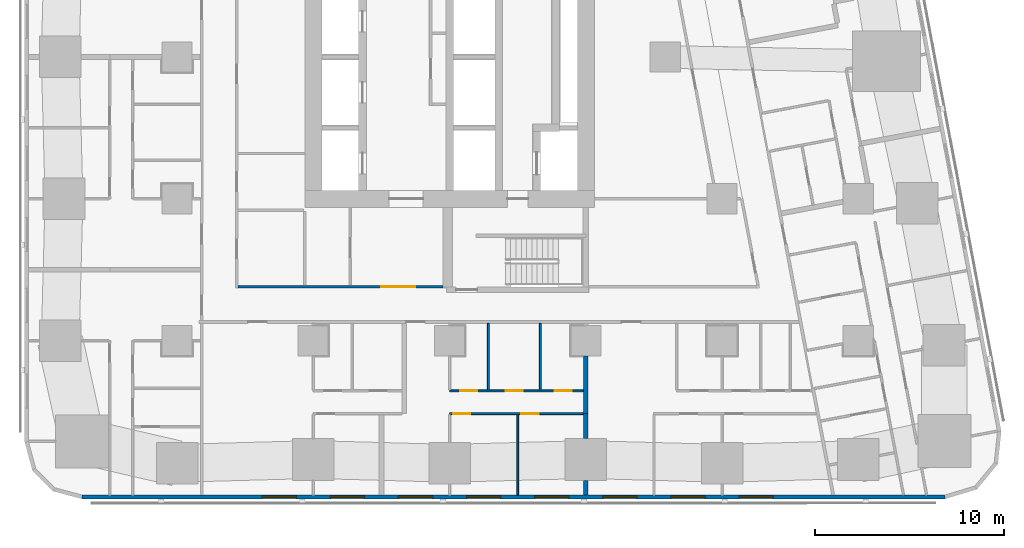
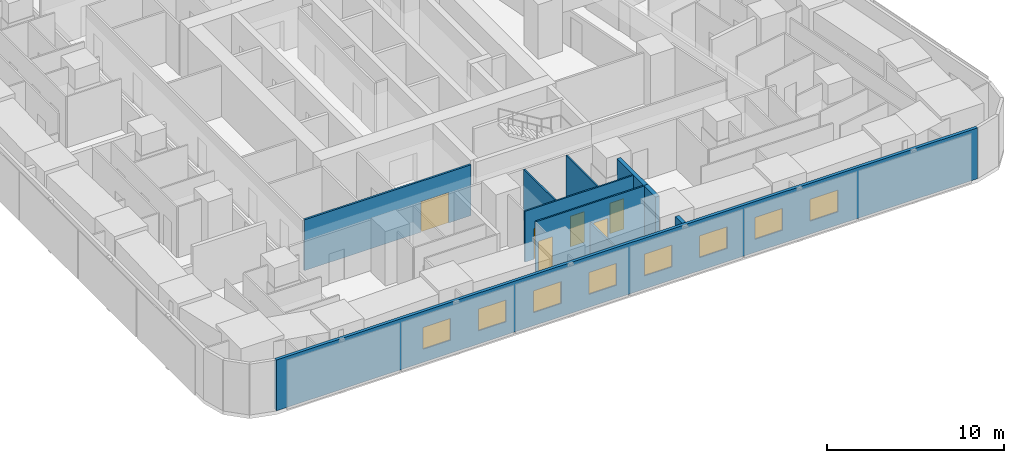
# One storey, part 3 of 17: 10 walls, 8 windows, 6 doors, 14 openings.
"""IFC4 building model written with IfcOpenShell, lengths in metres."""

from ifc_helpers import new_model, si_unit, direction, frame, frame_2d, origin, place, context, subcontext, project, spatial, rectangle, extrude, material, layer, layer_set, type_object, element, fill, save


model = new_model("IFC4")

# Units and contexts
model_context = context("Model", 3, precision=1e-05, world=origin(), true_north=direction((0.0, 1.0)))
body_context = subcontext(model_context, "Body", "Model", "MODEL_VIEW")
ifc_project = project(units=[si_unit("LENGTHUNIT", "METRE"), si_unit("AREAUNIT", "SQUARE_METRE"), si_unit("VOLUMEUNIT", "CUBIC_METRE"), si_unit("PLANEANGLEUNIT", "RADIAN"), si_unit("MASSUNIT", "GRAM", prefix="KILO")], contexts=[model_context])

# Site, building, storey
site_placement = place(None, origin())
site = spatial("IfcSite", under=ifc_project, at=site_placement, CompositionType="ELEMENT")
building_placement = place(site_placement, origin())
building = spatial("IfcBuilding", under=site, at=building_placement, Name="Sheger Commons Tower", CompositionType="ELEMENT")
storey_placement = place(building_placement, frame((0.0, 0.0, 115.39990234375)))
storey = spatial("IfcBuildingStorey", under=building, at=storey_placement, Name="L29", CompositionType="ELEMENT", Elevation=115.39990234375)

# Walls
ifc_material_1 = material(Name="Dense concrete block masonry, plastered both sides (separating wall between flats)", Category="masonry")
ifc_layer_1 = layer(ifc_material_1, 0.25)
ifc_layer_set_1 = layer_set([ifc_layer_1], Name="DEMISING WALL 250")
wall_type_1 = type_object("IfcWallType", Name="DEMISING WALL 250", PredefinedType="SOLIDWALL", material=ifc_layer_set_1)
wall_1_placement = place(storey_placement, frame((28.800048828125, -0.64990234375, 0.0), z_axis=(0.0, 0.0, 1.0), x_axis=(0.0, 1.0, 0.0)))
element("IfcWall", 1, at=wall_1_placement, inside=storey, type_object=wall_type_1, Name="Demising wall L29", PredefinedType="SOLIDWALL", context=body_context, shape_type="SweptSolid", body=[
    extrude(rectangle(XDim=0.77392578125, YDim=0.25, at=frame_2d((0.386962890625, 0.0))), origin(), (0.0, 0.0, 1.0), 3.5),
])
wall_2_placement = place(storey_placement, frame((28.800048828125, 2.325927734375, 0.0), z_axis=(0.0, 0.0, 1.0), x_axis=(0.0, 1.0, 0.0)))
element("IfcWall", 2, at=wall_2_placement, inside=storey, type_object=wall_type_1, Name="Demising wall L29", PredefinedType="SOLIDWALL", context=body_context, shape_type="SweptSolid", body=[
    extrude(rectangle(XDim=1.323974609375, YDim=0.25, at=frame_2d((0.662109375, 0.0))), origin(), (0.0, 0.0, 1.0), 3.5),
])
wall_3_placement = place(storey_placement, frame((28.800048828125, 3.64990234375, 0.0), z_axis=(0.0, 0.0, 1.0), x_axis=(0.0, 1.0, 0.0)))
element("IfcWall", 3, at=wall_3_placement, inside=storey, type_object=wall_type_1, Name="Demising wall L29", PredefinedType="SOLIDWALL", context=body_context, shape_type="SweptSolid", body=[
    extrude(rectangle(XDim=3.049072265625, YDim=0.25, at=frame_2d((1.5244140625, 0.0))), origin(), (0.0, 0.0, 1.0), 3.5),
])

# Wall, openings, windows
ifc_material_2 = material(Name="Rendered concrete block masonry, dark grey", Category="masonry")
ifc_layer_2 = layer(ifc_material_2, 0.199951171875)
ifc_layer_set_2 = layer_set([ifc_layer_2], Name="FACADE WALL 200")
wall_type_2 = type_object("IfcWallType", Name="FACADE WALL 200", PredefinedType="SOLIDWALL", material=ifc_layer_set_2)
wall_4_placement = place(storey_placement, frame((2.1630859375, -0.75, 0.0), z_axis=(0.0, 0.0, 1.0), x_axis=(1.0, 0.0, 0.0)))
wall_4 = element("IfcWall", 4, at=wall_4_placement, inside=storey, type_object=wall_type_2, Name="Facade wall L29", PredefinedType="SOLIDWALL", context=body_context, shape_type="SweptSolid", body=[
    extrude(rectangle(XDim=45.6279296875, YDim=0.199951171875, at=frame_2d((22.81396484375, 0.0))), origin(), (0.0, 0.0, 1.0), 3.5),
])
opening_1_placement = place(wall_4_placement, frame((9.537109375, 0.0, 0.89990234375)))
opening_1 = element("IfcOpeningElement", 5, at=opening_1_placement, cuts=wall_4, Name="Opening W2", PredefinedType="OPENING", context=body_context, shape_type="SweptSolid", body=[
    extrude(rectangle(XDim=1.800048828125, YDim=1.5, at=frame_2d((0.89990234375, 0.75))), frame((0.0, 0.10986328125, 0.0), z_axis=(0.0, -1.0, 0.0), x_axis=(1.0, 0.0, 0.0)), (0.0, 0.0, 1.0), 0.219970703125),
])
opening_2_placement = place(wall_4_placement, frame((13.136962890625, 0.0, 0.89990234375)))
opening_2 = element("IfcOpeningElement", 6, at=opening_2_placement, cuts=wall_4, Name="Opening W2", PredefinedType="OPENING", context=body_context, shape_type="SweptSolid", body=[
    extrude(rectangle(XDim=1.800048828125, YDim=1.5, at=frame_2d((0.89990234375, 0.75))), frame((0.0, 0.10986328125, 0.0), z_axis=(0.0, -1.0, 0.0), x_axis=(1.0, 0.0, 0.0)), (0.0, 0.0, 1.0), 0.219970703125),
])
opening_3_placement = place(wall_4_placement, frame((16.737060546875, 0.0, 0.89990234375)))
opening_3 = element("IfcOpeningElement", 7, at=opening_3_placement, cuts=wall_4, Name="Opening W2", PredefinedType="OPENING", context=body_context, shape_type="SweptSolid", body=[
    extrude(rectangle(XDim=1.800048828125, YDim=1.5, at=frame_2d((0.89990234375, 0.75))), frame((0.0, 0.10986328125, 0.0), z_axis=(0.0, -1.0, 0.0), x_axis=(1.0, 0.0, 0.0)), (0.0, 0.0, 1.0), 0.219970703125),
])
opening_4_placement = place(wall_4_placement, frame((20.3369140625, 0.0, 0.89990234375)))
opening_4 = element("IfcOpeningElement", 8, at=opening_4_placement, cuts=wall_4, Name="Opening W2", PredefinedType="OPENING", context=body_context, shape_type="SweptSolid", body=[
    extrude(rectangle(XDim=1.800048828125, YDim=1.5, at=frame_2d((0.89990234375, 0.75))), frame((0.0, 0.10986328125, 0.0), z_axis=(0.0, -1.0, 0.0), x_axis=(1.0, 0.0, 0.0)), (0.0, 0.0, 1.0), 0.219970703125),
])
opening_5_placement = place(wall_4_placement, frame((23.93701171875, 0.0, 0.89990234375)))
opening_5 = element("IfcOpeningElement", 9, at=opening_5_placement, cuts=wall_4, Name="Opening W2", PredefinedType="OPENING", context=body_context, shape_type="SweptSolid", body=[
    extrude(rectangle(XDim=1.800048828125, YDim=1.5, at=frame_2d((0.89990234375, 0.75))), frame((0.0, 0.10986328125, 0.0), z_axis=(0.0, -1.0, 0.0), x_axis=(1.0, 0.0, 0.0)), (0.0, 0.0, 1.0), 0.219970703125),
])
opening_6_placement = place(wall_4_placement, frame((27.537109375, 0.0, 0.89990234375)))
opening_6 = element("IfcOpeningElement", 10, at=opening_6_placement, cuts=wall_4, Name="Opening W2", PredefinedType="OPENING", context=body_context, shape_type="SweptSolid", body=[
    extrude(rectangle(XDim=1.800048828125, YDim=1.5, at=frame_2d((0.89990234375, 0.75))), frame((0.0, 0.10986328125, 0.0), z_axis=(0.0, -1.0, 0.0), x_axis=(1.0, 0.0, 0.0)), (0.0, 0.0, 1.0), 0.219970703125),
])
opening_7_placement = place(wall_4_placement, frame((31.136962890625, 0.0, 0.89990234375)))
opening_7 = element("IfcOpeningElement", 11, at=opening_7_placement, cuts=wall_4, Name="Opening W2", PredefinedType="OPENING", context=body_context, shape_type="SweptSolid", body=[
    extrude(rectangle(XDim=1.800048828125, YDim=1.5, at=frame_2d((0.89990234375, 0.75))), frame((0.0, 0.10986328125, 0.0), z_axis=(0.0, -1.0, 0.0), x_axis=(1.0, 0.0, 0.0)), (0.0, 0.0, 1.0), 0.219970703125),
])
opening_8_placement = place(wall_4_placement, frame((34.737060546875, 0.0, 0.89990234375)))
opening_8 = element("IfcOpeningElement", 12, at=opening_8_placement, cuts=wall_4, Name="Opening W2", PredefinedType="OPENING", context=body_context, shape_type="SweptSolid", body=[
    extrude(rectangle(XDim=1.800048828125, YDim=1.5, at=frame_2d((0.89990234375, 0.75))), frame((0.0, 0.10986328125, 0.0), z_axis=(0.0, -1.0, 0.0), x_axis=(1.0, 0.0, 0.0)), (0.0, 0.0, 1.0), 0.219970703125),
])
ifc_material_3 = material(Name="Black aluminium frame, dark tinted double glazing", Category="aluminium")
window_type = type_object("IfcWindowType", Name="WINDOW W2 1800x1500", PartitioningType="SINGLE_PANEL", PredefinedType="WINDOW", material=ifc_material_3)
window_1_placement = place(opening_1_placement, origin())
window_1 = element("IfcWindow", 13, at=window_1_placement, inside=storey, type_object=window_type, Name="Window W2 1800X1500", OverallHeight=1.5, OverallWidth=1.800048828125, PartitioningType="SINGLE_PANEL", PredefinedType="WINDOW", context=body_context, shape_type="SweptSolid", body=[
    extrude(rectangle(XDim=1.800048828125, YDim=1.5, at=frame_2d((0.89990234375, 0.75))), frame((0.0, 0.030029296875, 0.0), z_axis=(0.0, -1.0, 0.0), x_axis=(1.0, 0.0, 0.0)), (0.0, 0.0, 1.0), 0.06005859375),
])
fill(opening_1, window_1)
window_2_placement = place(opening_2_placement, origin())
window_2 = element("IfcWindow", 14, at=window_2_placement, inside=storey, type_object=window_type, Name="Window W2 1800X1500", OverallHeight=1.5, OverallWidth=1.800048828125, PartitioningType="SINGLE_PANEL", PredefinedType="WINDOW", context=body_context, shape_type="SweptSolid", body=[
    extrude(rectangle(XDim=1.800048828125, YDim=1.5, at=frame_2d((0.89990234375, 0.75))), frame((0.0, 0.030029296875, 0.0), z_axis=(0.0, -1.0, 0.0), x_axis=(1.0, 0.0, 0.0)), (0.0, 0.0, 1.0), 0.06005859375),
])
fill(opening_2, window_2)
window_3_placement = place(opening_3_placement, origin())
window_3 = element("IfcWindow", 15, at=window_3_placement, inside=storey, type_object=window_type, Name="Window W2 1800X1500", OverallHeight=1.5, OverallWidth=1.800048828125, PartitioningType="SINGLE_PANEL", PredefinedType="WINDOW", context=body_context, shape_type="SweptSolid", body=[
    extrude(rectangle(XDim=1.800048828125, YDim=1.5, at=frame_2d((0.89990234375, 0.75))), frame((0.0, 0.030029296875, 0.0), z_axis=(0.0, -1.0, 0.0), x_axis=(1.0, 0.0, 0.0)), (0.0, 0.0, 1.0), 0.06005859375),
])
fill(opening_3, window_3)
window_4_placement = place(opening_4_placement, origin())
window_4 = element("IfcWindow", 16, at=window_4_placement, inside=storey, type_object=window_type, Name="Window W2 1800X1500", OverallHeight=1.5, OverallWidth=1.800048828125, PartitioningType="SINGLE_PANEL", PredefinedType="WINDOW", context=body_context, shape_type="SweptSolid", body=[
    extrude(rectangle(XDim=1.800048828125, YDim=1.5, at=frame_2d((0.89990234375, 0.75))), frame((0.0, 0.030029296875, 0.0), z_axis=(0.0, -1.0, 0.0), x_axis=(1.0, 0.0, 0.0)), (0.0, 0.0, 1.0), 0.06005859375),
])
fill(opening_4, window_4)
window_5_placement = place(opening_5_placement, origin())
window_5 = element("IfcWindow", 17, at=window_5_placement, inside=storey, type_object=window_type, Name="Window W2 1800X1500", OverallHeight=1.5, OverallWidth=1.800048828125, PartitioningType="SINGLE_PANEL", PredefinedType="WINDOW", context=body_context, shape_type="SweptSolid", body=[
    extrude(rectangle(XDim=1.800048828125, YDim=1.5, at=frame_2d((0.89990234375, 0.75))), frame((0.0, 0.030029296875, 0.0), z_axis=(0.0, -1.0, 0.0), x_axis=(1.0, 0.0, 0.0)), (0.0, 0.0, 1.0), 0.06005859375),
])
fill(opening_5, window_5)
window_6_placement = place(opening_6_placement, origin())
window_6 = element("IfcWindow", 18, at=window_6_placement, inside=storey, type_object=window_type, Name="Window W2 1800X1500", OverallHeight=1.5, OverallWidth=1.800048828125, PartitioningType="SINGLE_PANEL", PredefinedType="WINDOW", context=body_context, shape_type="SweptSolid", body=[
    extrude(rectangle(XDim=1.800048828125, YDim=1.5, at=frame_2d((0.89990234375, 0.75))), frame((0.0, 0.030029296875, 0.0), z_axis=(0.0, -1.0, 0.0), x_axis=(1.0, 0.0, 0.0)), (0.0, 0.0, 1.0), 0.06005859375),
])
fill(opening_6, window_6)
window_7_placement = place(opening_7_placement, origin())
window_7 = element("IfcWindow", 19, at=window_7_placement, inside=storey, type_object=window_type, Name="Window W2 1800X1500", OverallHeight=1.5, OverallWidth=1.800048828125, PartitioningType="SINGLE_PANEL", PredefinedType="WINDOW", context=body_context, shape_type="SweptSolid", body=[
    extrude(rectangle(XDim=1.800048828125, YDim=1.5, at=frame_2d((0.89990234375, 0.75))), frame((0.0, 0.030029296875, 0.0), z_axis=(0.0, -1.0, 0.0), x_axis=(1.0, 0.0, 0.0)), (0.0, 0.0, 1.0), 0.06005859375),
])
fill(opening_7, window_7)
window_8_placement = place(opening_8_placement, origin())
window_8 = element("IfcWindow", 20, at=window_8_placement, inside=storey, type_object=window_type, Name="Window W2 1800X1500", OverallHeight=1.5, OverallWidth=1.800048828125, PartitioningType="SINGLE_PANEL", PredefinedType="WINDOW", context=body_context, shape_type="SweptSolid", body=[
    extrude(rectangle(XDim=1.800048828125, YDim=1.5, at=frame_2d((0.89990234375, 0.75))), frame((0.0, 0.030029296875, 0.0), z_axis=(0.0, -1.0, 0.0), x_axis=(1.0, 0.0, 0.0)), (0.0, 0.0, 1.0), 0.06005859375),
])
fill(opening_8, window_8)

# Wall, openings, doors
ifc_material_4 = material(Name="Gypsum board on steel studs", Category="steel")
ifc_layer_3 = layer(ifc_material_4, 0.10009765625)
ifc_layer_set_3 = layer_set([ifc_layer_3], Name="PARTITION 100")
wall_type_3 = type_object("IfcWallType", Name="PARTITION 100", PredefinedType="PARTITIONING", material=ifc_layer_set_3)
wall_5_placement = place(storey_placement, frame((28.675048828125, 3.64990234375, 0.0), z_axis=(0.0, 0.0, 1.0), x_axis=(-1.0, 0.0, 0.0)))
wall_5 = element("IfcWall", 21, at=wall_5_placement, inside=storey, type_object=wall_type_3, Name="Partition L29", PredefinedType="PARTITIONING", context=body_context, shape_type="SweptSolid", body=[
    extrude(rectangle(XDim=7.074951171875, YDim=0.10009765625, at=frame_2d((3.53759765625, 0.0))), origin(), (0.0, 0.0, 1.0), 3.5),
])
opening_9_placement = place(wall_5_placement, frame((5.97509765625, 0.0, 0.0)))
opening_9 = element("IfcOpeningElement", 22, at=opening_9_placement, cuts=wall_5, Name="Opening D2", PredefinedType="OPENING", context=body_context, shape_type="SweptSolid", body=[
    extrude(rectangle(XDim=0.89990234375, YDim=2.10009765625, at=frame_2d((0.449951171875, 1.050048828125))), frame((0.0, 0.06005859375, 0.0), z_axis=(0.0, -1.0, 0.0), x_axis=(1.0, 0.0, 0.0)), (0.0, 0.0, 1.0), 0.1201171875),
])
opening_10_placement = place(wall_5_placement, frame((2.375, 0.0, 0.0)))
opening_10 = element("IfcOpeningElement", 23, at=opening_10_placement, cuts=wall_5, Name="Opening D2", PredefinedType="OPENING", context=body_context, shape_type="SweptSolid", body=[
    extrude(rectangle(XDim=0.89990234375, YDim=2.10009765625, at=frame_2d((0.449951171875, 1.050048828125))), frame((0.0, 0.06005859375, 0.0), z_axis=(0.0, -1.0, 0.0), x_axis=(1.0, 0.0, 0.0)), (0.0, 0.0, 1.0), 0.1201171875),
])
ifc_material_5 = material(Name="Timber door set", Category="wood")
door_type_1 = type_object("IfcDoorType", Name="INTERNAL DOOR 900x2100", OperationType="NOTDEFINED", PredefinedType="DOOR", material=ifc_material_5)
door_1_placement = place(opening_9_placement, origin())
door_1 = element("IfcDoor", 24, at=door_1_placement, inside=storey, type_object=door_type_1, Name="Main bedroom door", OperationType="SINGLE_SWING_RIGHT", OverallHeight=2.10009765625, OverallWidth=0.89990234375, PredefinedType="DOOR", context=body_context, shape_type="SweptSolid", body=[
    extrude(rectangle(XDim=0.89990234375, YDim=2.10009765625, at=frame_2d((0.449951171875, 1.050048828125))), frame((0.0, 0.02490234375, 0.0), z_axis=(0.0, -1.0, 0.0), x_axis=(1.0, 0.0, 0.0)), (0.0, 0.0, 1.0), 0.050048828125),
])
fill(opening_9, door_1)
door_2_placement = place(opening_10_placement, origin())
door_2 = element("IfcDoor", 25, at=door_2_placement, inside=storey, type_object=door_type_1, Name="Bedroom 2 door", OperationType="SINGLE_SWING_RIGHT", OverallHeight=2.10009765625, OverallWidth=0.89990234375, PredefinedType="DOOR", context=body_context, shape_type="SweptSolid", body=[
    extrude(rectangle(XDim=0.89990234375, YDim=2.10009765625, at=frame_2d((0.449951171875, 1.050048828125))), frame((0.0, 0.02490234375, 0.0), z_axis=(0.0, -1.0, 0.0), x_axis=(1.0, 0.0, 0.0)), (0.0, 0.0, 1.0), 0.050048828125),
])
fill(opening_10, door_2)

wall_6_placement = place(storey_placement, frame((28.675048828125, 4.85009765625, 0.0), z_axis=(0.0, 0.0, 1.0), x_axis=(-1.0, 0.0, 0.0)))
wall_6 = element("IfcWall", 26, at=wall_6_placement, inside=storey, type_object=wall_type_3, Name="Partition L29", PredefinedType="PARTITIONING", context=body_context, shape_type="SweptSolid", body=[
    extrude(rectangle(XDim=7.074951171875, YDim=0.10009765625, at=frame_2d((3.53759765625, 0.0))), origin(), (0.0, 0.0, 1.0), 3.5),
])
opening_11_placement = place(wall_6_placement, frame((5.60009765625, 0.0, 0.0)))
opening_11 = element("IfcOpeningElement", 27, at=opening_11_placement, cuts=wall_6, Name="Opening D2", PredefinedType="OPENING", context=body_context, shape_type="SweptSolid", body=[
    extrude(rectangle(XDim=0.89990234375, YDim=2.10009765625, at=frame_2d((0.449951171875, 1.050048828125))), frame((0.0, 0.06005859375, 0.0), z_axis=(0.0, -1.0, 0.0), x_axis=(1.0, 0.0, 0.0)), (0.0, 0.0, 1.0), 0.1201171875),
])
opening_12_placement = place(wall_6_placement, frame((0.6259765625, 0.0, 0.0)))
opening_12 = element("IfcOpeningElement", 28, at=opening_12_placement, cuts=wall_6, Name="Opening D2", PredefinedType="OPENING", context=body_context, shape_type="SweptSolid", body=[
    extrude(rectangle(XDim=0.89990234375, YDim=2.10009765625, at=frame_2d((0.449951171875, 1.050048828125))), frame((0.0, 0.06005859375, 0.0), z_axis=(0.0, -1.0, 0.0), x_axis=(1.0, 0.0, 0.0)), (0.0, 0.0, 1.0), 0.1201171875),
])
opening_13_placement = place(wall_6_placement, frame((3.200927734375, 0.0, 0.0)))
opening_13 = element("IfcOpeningElement", 29, at=opening_13_placement, cuts=wall_6, Name="Opening D2", PredefinedType="OPENING", context=body_context, shape_type="SweptSolid", body=[
    extrude(rectangle(XDim=0.89990234375, YDim=2.10009765625, at=frame_2d((0.449951171875, 1.050048828125))), frame((0.0, 0.06005859375, 0.0), z_axis=(0.0, -1.0, 0.0), x_axis=(1.0, 0.0, 0.0)), (0.0, 0.0, 1.0), 0.1201171875),
])
door_3_placement = place(opening_11_placement, origin())
door_3 = element("IfcDoor", 30, at=door_3_placement, inside=storey, type_object=door_type_1, Name="Bathroom door", OperationType="SINGLE_SWING_LEFT", OverallHeight=2.10009765625, OverallWidth=0.89990234375, PredefinedType="DOOR", context=body_context, shape_type="SweptSolid", body=[
    extrude(rectangle(XDim=0.89990234375, YDim=2.10009765625, at=frame_2d((0.449951171875, 1.050048828125))), frame((0.0, 0.02490234375, 0.0), z_axis=(0.0, -1.0, 0.0), x_axis=(1.0, 0.0, 0.0)), (0.0, 0.0, 1.0), 0.050048828125),
])
fill(opening_11, door_3)
door_4_placement = place(opening_12_placement, origin())
door_4 = element("IfcDoor", 31, at=door_4_placement, inside=storey, type_object=door_type_1, Name="Laundry room door", OperationType="SINGLE_SWING_RIGHT", OverallHeight=2.10009765625, OverallWidth=0.89990234375, PredefinedType="DOOR", context=body_context, shape_type="SweptSolid", body=[
    extrude(rectangle(XDim=0.89990234375, YDim=2.10009765625, at=frame_2d((0.449951171875, 1.050048828125))), frame((0.0, 0.02490234375, 0.0), z_axis=(0.0, -1.0, 0.0), x_axis=(1.0, 0.0, 0.0)), (0.0, 0.0, 1.0), 0.050048828125),
])
fill(opening_12, door_4)
door_5_placement = place(opening_13_placement, origin())
door_5 = element("IfcDoor", 32, at=door_5_placement, inside=storey, type_object=door_type_1, Name="Store door", OperationType="SINGLE_SWING_RIGHT", OverallHeight=2.10009765625, OverallWidth=0.89990234375, PredefinedType="DOOR", context=body_context, shape_type="SweptSolid", body=[
    extrude(rectangle(XDim=0.89990234375, YDim=2.10009765625, at=frame_2d((0.449951171875, 1.050048828125))), frame((0.0, 0.02490234375, 0.0), z_axis=(0.0, -1.0, 0.0), x_axis=(1.0, 0.0, 0.0)), (0.0, 0.0, 1.0), 0.050048828125),
])
fill(opening_13, door_5)

# Walls
wall_7_placement = place(storey_placement, frame((25.199951171875, -0.64990234375, 0.0), z_axis=(0.0, 0.0, 1.0), x_axis=(0.0, 1.0, 0.0)))
element("IfcWall", 33, at=wall_7_placement, inside=storey, type_object=wall_type_3, Name="Partition L29", PredefinedType="PARTITIONING", context=body_context, shape_type="SweptSolid", body=[
    extrude(rectangle(XDim=4.25, YDim=0.10009765625, at=frame_2d((2.125, 0.0))), origin(), (0.0, 0.0, 1.0), 2.2001953125),
])
for number, where, z_axis, x_axis, name in (
    (34, (26.39892578125, 4.89990234375, 0.0), (0.0, 0.0, 1.0), (0.0, 1.0, 0.0), "Partition L29"),
    (35, (23.64990234375, 4.89990234375, 0.0), (0.0, 0.0, 1.0), (0.0, 1.0, 0.0), "Partition L29"),
):
    element("IfcWall", number, at=place(storey_placement, frame(where, z_axis=z_axis, x_axis=x_axis)), inside=storey, type_object=wall_type_3, Name=name, PredefinedType="PARTITIONING", context=body_context, shape_type="SweptSolid", body=[
        extrude(rectangle(XDim=3.525146484375, YDim=0.10009765625, at=frame_2d((1.7626953125, 0.0))), origin(), (0.0, 0.0, 1.0), 3.5),
    ])

# Wall, opening, door
ifc_material_6 = material(Name="Gypsum board on steel studs, two layers each side, fire rated", Category="steel")
ifc_layer_4 = layer(ifc_material_6, 0.125)
ifc_layer_set_4 = layer_set([ifc_layer_4], Name="SERVICE WALL 125")
wall_type_4 = type_object("IfcWallType", Name="SERVICE WALL 125", PredefinedType="PARTITIONING", material=ifc_layer_set_4)
wall_8_placement = place(storey_placement, frame((10.4130859375, 10.35009765625, 0.0), z_axis=(0.0, 0.0, 1.0), x_axis=(1.0, 0.0, 0.0)))
wall_8 = element("IfcWall", 36, at=wall_8_placement, inside=storey, type_object=wall_type_4, Name="Service room wall L29", PredefinedType="PARTITIONING", context=body_context, shape_type="SweptSolid", body=[
    extrude(rectangle(XDim=10.8369140625, YDim=0.125, at=frame_2d((5.41845703125, 0.0))), origin(), (0.0, 0.0, 1.0), 3.5),
])
opening_14_placement = place(wall_8_placement, frame((7.58203125, 0.0, 0.0)))
opening_14 = element("IfcOpeningElement", 37, at=opening_14_placement, cuts=wall_8, Name="Opening D6", PredefinedType="OPENING", context=body_context, shape_type="SweptSolid", body=[
    extrude(rectangle(XDim=1.800048828125, YDim=2.10009765625, at=frame_2d((0.89990234375, 1.050048828125))), frame((0.0, 0.072509765625, 0.0), z_axis=(0.0, -1.0, 0.0), x_axis=(1.0, 0.0, 0.0)), (0.0, 0.0, 1.0), 0.14501953125),
])
ifc_material_7 = material(Name="Steel door set, fire rated", Category="steel")
door_type_2 = type_object("IfcDoorType", Name="LOBBY DOUBLE DOOR 1800x2100", OperationType="DOUBLE_DOOR_SINGLE_SWING", PredefinedType="DOOR", material=ifc_material_7)
door_6_placement = place(opening_14_placement, origin())
door_6 = element("IfcDoor", 38, at=door_6_placement, inside=storey, type_object=door_type_2, Name="Lift lobby south door", OperationType="DOUBLE_DOOR_SINGLE_SWING", OverallHeight=2.10009765625, OverallWidth=1.800048828125, PredefinedType="DOOR", context=body_context, shape_type="SweptSolid", body=[
    extrude(rectangle(XDim=1.800048828125, YDim=2.10009765625, at=frame_2d((0.89990234375, 1.050048828125))), frame((0.0, 0.02490234375, 0.0), z_axis=(0.0, -1.0, 0.0), x_axis=(1.0, 0.0, 0.0)), (0.0, 0.0, 1.0), 0.050048828125),
])
fill(opening_14, door_6)

save(model, "model.ifc")
